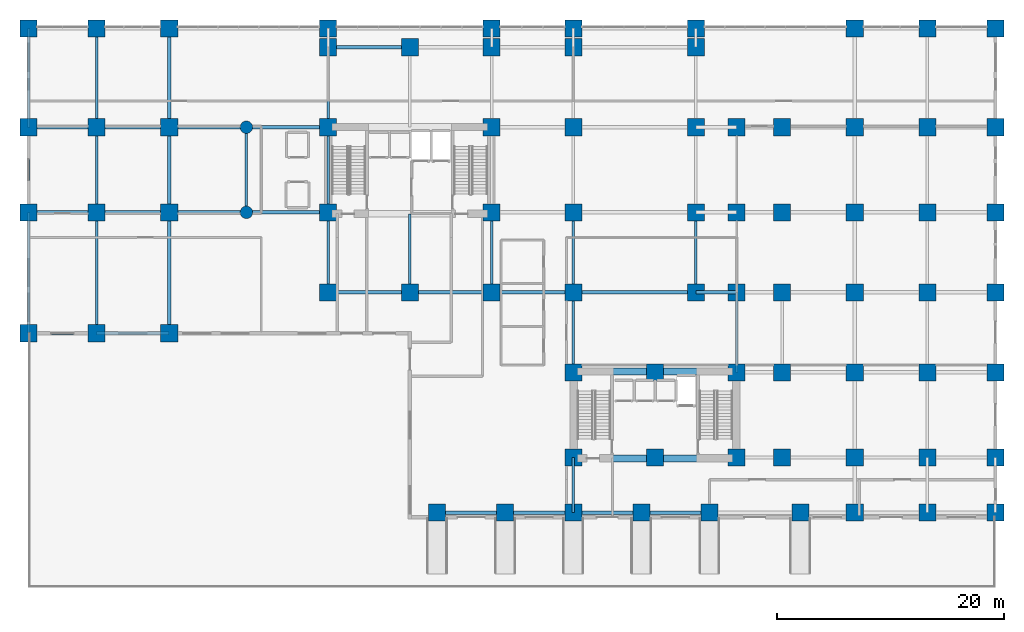
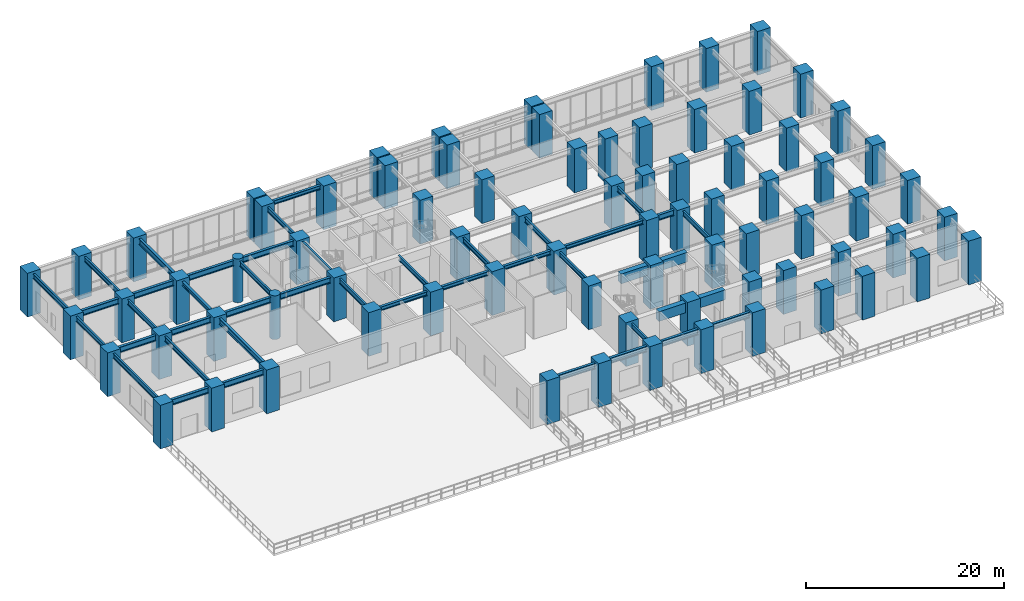
# One storey, part 1 of 22: 77 columns, 42 beams.
"""IFC4 building model written with IfcOpenShell, lengths in metres."""

from ifc_helpers import new_model, si_unit, direction, frame, origin, origin_2d, place, context, subcontext, project, spatial, rectangle, circle, i_section, extrude, source, transform, mapped, material, material_profile, profile_set, type_object, element, save


model = new_model("IFC4")

# Units and contexts
model_context = context("Model", 3, precision=1e-05, world=origin(), true_north=direction((0.0, 1.0)))
body_context = subcontext(model_context, "Body", "Model", "MODEL_VIEW")
ifc_project = project(units=[si_unit("LENGTHUNIT", "METRE"), si_unit("AREAUNIT", "SQUARE_METRE"), si_unit("VOLUMEUNIT", "CUBIC_METRE"), si_unit("PLANEANGLEUNIT", "RADIAN"), si_unit("MASSUNIT", "GRAM", prefix="KILO")], contexts=[model_context])

# Site, building, storey
site_placement = place(None, origin())
site = spatial("IfcSite", under=ifc_project, at=site_placement, CompositionType="ELEMENT")
building_placement = place(site_placement, origin())
building = spatial("IfcBuilding", under=site, at=building_placement, Name="Kaliganga Portal Commons", CompositionType="ELEMENT")
storey_placement = place(building_placement, origin())
storey = spatial("IfcBuildingStorey", under=building, at=storey_placement, Name="L00", CompositionType="ELEMENT", Elevation=0.0)

# Columns
ifc_material_1 = material(Name="Concrete C60/75", Category="concrete")
ifc_material_profile_1 = material_profile(ifc_material_1, circle(Radius=0.550048828125, at=origin_2d()), Name="RC COL D1100")
ifc_profile_set_1 = profile_set([ifc_material_profile_1], Name="Concrete C60/75")
column_type_1 = type_object("IfcColumnType", Name="COL-POD-CIRC", PredefinedType="COLUMN", material=ifc_profile_set_1)
shared_shape_1 = source(origin(), body_context, "Body", "SweptSolid", [
    extrude(circle(Radius=0.550048828125, at=origin_2d()), origin(), (0.0, 0.0, 1.0), 5.39990234375),
])
for number, where, z_axis, x_axis, name in (
    (1, (7.199951171875, 28.64990234375, 0.0), (0.0, 0.0, 1.0), (1.0, 0.0, 0.0), "Column MC-07 L00"),
    (2, (7.199951171875, 36.14990234375, 0.0), (0.0, 0.0, 1.0), (1.0, 0.0, 0.0), "Column MC-07 L00"),
):
    element("IfcColumn", number, at=place(storey_placement, frame(where, z_axis=z_axis, x_axis=x_axis)), inside=storey, type_object=column_type_1, Name=name, PredefinedType="COLUMN", context=body_context, shape_type="MappedRepresentation", body=[
        mapped(shared_shape_1, transform((0.0, 0.0, 0.0), x_axis=(1.0, 0.0, 0.0), y_axis=(0.0, 1.0, 0.0), z_axis=(0.0, 0.0, 1.0), scale=1.0)),
    ])
ifc_material_2 = material(Name="Concrete C70/85", Category="concrete")
ifc_material_profile_2 = material_profile(ifc_material_2, rectangle(XDim=1.5, YDim=1.5, at=origin_2d()), Name="RC 1500x1500")
ifc_profile_set_2 = profile_set([ifc_material_profile_2], Name="Concrete C70/85")
column_type_2 = type_object("IfcColumnType", Name="COL-MEGA-Z0", PredefinedType="COLUMN", material=ifc_profile_set_2)
shared_shape_2 = source(origin(), body_context, "Body", "SweptSolid", [
    extrude(rectangle(XDim=1.5, YDim=1.5, at=origin_2d()), origin(), (0.0, 0.0, 1.0), 5.39990234375),
])
for number, where, z_axis, x_axis, name in (
    (3, (14.39990234375, 21.60009765625, 0.0), (0.0, 0.0, 1.0), (1.0, 0.0, 0.0), "Column MC-01 L00"),
    (4, (14.39990234375, 28.64990234375, 0.0), (0.0, 0.0, 1.0), (1.0, 0.0, 0.0), "Column MC-01 L00"),
    (5, (14.39990234375, 36.14990234375, 0.0), (0.0, 0.0, 1.0), (1.0, 0.0, 0.0), "Column MC-01 L00"),
    (6, (14.39990234375, 43.199951171875, 0.0), (0.0, 0.0, 1.0), (1.0, 0.0, 0.0), "Column MC-01 L00"),
    (7, (21.60009765625, 21.60009765625, 0.0), (0.0, 0.0, 1.0), (1.0, 0.0, 0.0), "Column MC-01 L00"),
    (8, (21.60009765625, 43.199951171875, 0.0), (0.0, 0.0, 1.0), (1.0, 0.0, 0.0), "Column MC-01 L00"),
    (9, (28.800048828125, 21.60009765625, 0.0), (0.0, 0.0, 1.0), (1.0, 0.0, 0.0), "Column MC-01 L00"),
    (10, (28.800048828125, 28.64990234375, 0.0), (0.0, 0.0, 1.0), (1.0, 0.0, 0.0), "Column MC-01 L00"),
    (11, (28.800048828125, 36.14990234375, 0.0), (0.0, 0.0, 1.0), (1.0, 0.0, 0.0), "Column MC-01 L00"),
    (12, (28.800048828125, 43.199951171875, 0.0), (0.0, 0.0, 1.0), (1.0, 0.0, 0.0), "Column MC-01 L00"),
    (13, (36.0, 21.60009765625, 0.0), (0.0, 0.0, 1.0), (1.0, 0.0, 0.0), "Column MC-01 L00"),
    (14, (36.0, 43.199951171875, 0.0), (0.0, 0.0, 1.0), (1.0, 0.0, 0.0), "Column MC-01 L00"),
    (15, (36.0, 28.64990234375, 0.0), (0.0, 0.0, 1.0), (1.0, 0.0, 0.0), "Column MC-01 L00"),
    (16, (36.0, 36.14990234375, 0.0), (0.0, 0.0, 1.0), (1.0, 0.0, 0.0), "Column MC-01 L00"),
    (17, (46.800048828125, 21.60009765625, 0.0), (0.0, 0.0, 1.0), (1.0, 0.0, 0.0), "Column MC-01 L00"),
    (18, (46.800048828125, 28.64990234375, 0.0), (0.0, 0.0, 1.0), (1.0, 0.0, 0.0), "Column MC-01 L00"),
    (19, (46.800048828125, 36.14990234375, 0.0), (0.0, 0.0, 1.0), (1.0, 0.0, 0.0), "Column MC-01 L00"),
    (20, (46.800048828125, 43.199951171875, 0.0), (0.0, 0.0, 1.0), (1.0, 0.0, 0.0), "Column MC-01 L00"),
    (21, (36.0, 7.050048828125, 0.0), (0.0, 0.0, 1.0), (1.0, 0.0, 0.0), "Column MC-01 L00"),
    (22, (36.0, 14.550048828125, 0.0), (0.0, 0.0, 1.0), (1.0, 0.0, 0.0), "Column MC-01 L00"),
    (23, (43.199951171875, 7.050048828125, 0.0), (0.0, 0.0, 1.0), (1.0, 0.0, 0.0), "Column MC-01 L00"),
    (24, (43.199951171875, 14.550048828125, 0.0), (0.0, 0.0, 1.0), (1.0, 0.0, 0.0), "Column MC-01 L00"),
    (25, (50.39990234375, 7.050048828125, 0.0), (0.0, 0.0, 1.0), (1.0, 0.0, 0.0), "Column MC-01 L00"),
    (26, (50.39990234375, 14.550048828125, 0.0), (0.0, 0.0, 1.0), (1.0, 0.0, 0.0), "Column MC-01 L00"),
    (27, (50.39990234375, 21.60009765625, 0.0), (0.0, 0.0, 1.0), (1.0, 0.0, 0.0), "Column MC-01 L00"),
    (28, (50.39990234375, 28.64990234375, 0.0), (0.0, 0.0, 1.0), (1.0, 0.0, 0.0), "Column MC-01 L00"),
    (29, (50.39990234375, 36.14990234375, 0.0), (0.0, 0.0, 1.0), (1.0, 0.0, 0.0), "Column MC-01 L00"),
    (30, (54.39990234375, 7.050048828125, 0.0), (0.0, 0.0, 1.0), (1.0, 0.0, 0.0), "Column MC-01 L00"),
    (31, (54.39990234375, 14.550048828125, 0.0), (0.0, 0.0, 1.0), (1.0, 0.0, 0.0), "Column MC-01 L00"),
    (32, (54.39990234375, 21.60009765625, 0.0), (0.0, 0.0, 1.0), (1.0, 0.0, 0.0), "Column MC-01 L00"),
    (33, (54.39990234375, 28.64990234375, 0.0), (0.0, 0.0, 1.0), (1.0, 0.0, 0.0), "Column MC-01 L00"),
    (34, (54.39990234375, 36.14990234375, 0.0), (0.0, 0.0, 1.0), (1.0, 0.0, 0.0), "Column MC-01 L00"),
    (35, (0.39990234375, 18.0, 0.0), (0.0, 0.0, 1.0), (1.0, 0.0, 0.0), "Column MC-01 L00"),
    (36, (0.39990234375, 28.64990234375, 0.0), (0.0, 0.0, 1.0), (1.0, 0.0, 0.0), "Column MC-01 L00"),
    (37, (0.39990234375, 36.14990234375, 0.0), (0.0, 0.0, 1.0), (1.0, 0.0, 0.0), "Column MC-01 L00"),
    (38, (0.39990234375, 44.85009765625, 0.0), (0.0, 0.0, 1.0), (1.0, 0.0, 0.0), "Column MC-01 L00"),
    (39, (14.39990234375, 44.85009765625, 0.0), (0.0, 0.0, 1.0), (1.0, 0.0, 0.0), "Column MC-01 L00"),
    (40, (28.800048828125, 44.85009765625, 0.0), (0.0, 0.0, 1.0), (1.0, 0.0, 0.0), "Column MC-01 L00"),
    (41, (36.0, 44.85009765625, 0.0), (0.0, 0.0, 1.0), (1.0, 0.0, 0.0), "Column MC-01 L00"),
    (42, (46.800048828125, 44.85009765625, 0.0), (0.0, 0.0, 1.0), (1.0, 0.0, 0.0), "Column MC-01 L00"),
    (43, (60.800048828125, 44.85009765625, 0.0), (0.0, 0.0, 1.0), (1.0, 0.0, 0.0), "Column MC-01 L00"),
    (44, (60.800048828125, 36.14990234375, 0.0), (0.0, 0.0, 1.0), (1.0, 0.0, 0.0), "Column MC-01 L00"),
    (45, (60.800048828125, 28.64990234375, 0.0), (0.0, 0.0, 1.0), (1.0, 0.0, 0.0), "Column MC-01 L00"),
    (46, (60.800048828125, 21.60009765625, 0.0), (0.0, 0.0, 1.0), (1.0, 0.0, 0.0), "Column MC-01 L00"),
    (47, (60.800048828125, 14.550048828125, 0.0), (0.0, 0.0, 1.0), (1.0, 0.0, 0.0), "Column MC-01 L00"),
    (48, (60.800048828125, 7.050048828125, 0.0), (0.0, 0.0, 1.0), (1.0, 0.0, 0.0), "Column MC-01 L00"),
    (49, (60.800048828125, 2.199951171875, 0.0), (0.0, 0.0, 1.0), (1.0, 0.0, 0.0), "Column MC-01 L00"),
    (50, (56.0, 2.199951171875, 0.0), (0.0, 0.0, 1.0), (1.0, 0.0, 0.0), "Column MC-01 L00"),
    (51, (48.0, 2.199951171875, 0.0), (0.0, 0.0, 1.0), (1.0, 0.0, 0.0), "Column MC-01 L00"),
    (52, (42.0, 2.199951171875, 0.0), (0.0, 0.0, 1.0), (1.0, 0.0, 0.0), "Column MC-01 L00"),
    (53, (36.0, 2.199951171875, 0.0), (0.0, 0.0, 1.0), (1.0, 0.0, 0.0), "Column MC-01 L00"),
    (54, (30.0, 2.199951171875, 0.0), (0.0, 0.0, 1.0), (1.0, 0.0, 0.0), "Column MC-01 L00"),
    (55, (24.0, 2.199951171875, 0.0), (0.0, 0.0, 1.0), (1.0, 0.0, 0.0), "Column MC-01 L00"),
    (56, (-12.0, 18.0, 0.0), (0.0, 0.0, 1.0), (1.0, 0.0, 0.0), "Column MC-01 L00"),
    (57, (-12.0, 28.64990234375, 0.0), (0.0, 0.0, 1.0), (1.0, 0.0, 0.0), "Column MC-01 L00"),
    (58, (-12.0, 36.14990234375, 0.0), (0.0, 0.0, 1.0), (1.0, 0.0, 0.0), "Column MC-01 L00"),
    (59, (-12.0, 44.85009765625, 0.0), (0.0, 0.0, 1.0), (1.0, 0.0, 0.0), "Column MC-01 L00"),
    (60, (-6.0, 18.0, 0.0), (0.0, 0.0, 1.0), (1.0, 0.0, 0.0), "Column MC-01 L00"),
    (61, (-6.0, 28.64990234375, 0.0), (0.0, 0.0, 1.0), (1.0, 0.0, 0.0), "Column MC-01 L00"),
    (62, (-6.0, 36.14990234375, 0.0), (0.0, 0.0, 1.0), (1.0, 0.0, 0.0), "Column MC-01 L00"),
    (63, (-6.0, 44.85009765625, 0.0), (0.0, 0.0, 1.0), (1.0, 0.0, 0.0), "Column MC-01 L00"),
    (64, (67.199951171875, 2.199951171875, 0.0), (0.0, 0.0, 1.0), (1.0, 0.0, 0.0), "Column MC-01 L00"),
    (65, (67.199951171875, 7.050048828125, 0.0), (0.0, 0.0, 1.0), (1.0, 0.0, 0.0), "Column MC-01 L00"),
    (66, (67.199951171875, 14.550048828125, 0.0), (0.0, 0.0, 1.0), (1.0, 0.0, 0.0), "Column MC-01 L00"),
    (67, (67.199951171875, 21.60009765625, 0.0), (0.0, 0.0, 1.0), (1.0, 0.0, 0.0), "Column MC-01 L00"),
    (68, (67.199951171875, 28.64990234375, 0.0), (0.0, 0.0, 1.0), (1.0, 0.0, 0.0), "Column MC-01 L00"),
    (69, (67.199951171875, 36.14990234375, 0.0), (0.0, 0.0, 1.0), (1.0, 0.0, 0.0), "Column MC-01 L00"),
    (70, (67.199951171875, 44.85009765625, 0.0), (0.0, 0.0, 1.0), (1.0, 0.0, 0.0), "Column MC-01 L00"),
    (71, (73.199951171875, 2.199951171875, 0.0), (0.0, 0.0, 1.0), (1.0, 0.0, 0.0), "Column MC-01 L00"),
    (72, (73.199951171875, 7.050048828125, 0.0), (0.0, 0.0, 1.0), (1.0, 0.0, 0.0), "Column MC-01 L00"),
    (73, (73.199951171875, 14.550048828125, 0.0), (0.0, 0.0, 1.0), (1.0, 0.0, 0.0), "Column MC-01 L00"),
    (74, (73.199951171875, 21.60009765625, 0.0), (0.0, 0.0, 1.0), (1.0, 0.0, 0.0), "Column MC-01 L00"),
    (75, (73.199951171875, 28.64990234375, 0.0), (0.0, 0.0, 1.0), (1.0, 0.0, 0.0), "Column MC-01 L00"),
    (76, (73.199951171875, 36.14990234375, 0.0), (0.0, 0.0, 1.0), (1.0, 0.0, 0.0), "Column MC-01 L00"),
    (77, (73.199951171875, 44.85009765625, 0.0), (0.0, 0.0, 1.0), (1.0, 0.0, 0.0), "Column MC-01 L00"),
):
    element("IfcColumn", number, at=place(storey_placement, frame(where, z_axis=z_axis, x_axis=x_axis)), inside=storey, type_object=column_type_2, Name=name, PredefinedType="COLUMN", context=body_context, shape_type="MappedRepresentation", body=[
        mapped(shared_shape_2, transform((0.0, 0.0, 0.0), x_axis=(1.0, 0.0, 0.0), y_axis=(0.0, 1.0, 0.0), z_axis=(0.0, 0.0, 1.0), scale=1.0)),
    ])

# Beams
ifc_material_profile_3 = material_profile(ifc_material_1, rectangle(XDim=0.60009765625, YDim=1.199951171875, at=origin_2d()), Name="RC 600x1200")
ifc_profile_set_3 = profile_set([ifc_material_profile_3], Name="Concrete C60/75")
beam_type_1 = type_object("IfcBeamType", Name="BM-CPL-1200", PredefinedType="LINTEL", material=ifc_profile_set_3)
shared_shape_3 = source(origin(), body_context, "Body", "SweptSolid", [
    extrude(rectangle(XDim=0.60009765625, YDim=1.199951171875, at=origin_2d()), origin(), (0.0, 0.0, 1.0), 7.739990234375),
])
for number, where, z_axis, x_axis, name in (
    (78, (39.330078125, 6.97509765625, 4.52001953125), (1.0, 0.0, 0.0), (0.0, 1.0, 0.0), "BM CPL COREB L00 S"),
    (79, (39.330078125, 14.625, 4.52001953125), (1.0, 0.0, 0.0), (0.0, 1.0, 0.0), "BM CPL COREB L00 N"),
):
    element("IfcBeam", number, at=place(storey_placement, frame(where, z_axis=z_axis, x_axis=x_axis)), inside=storey, type_object=beam_type_1, Name=name, PredefinedType="LINTEL", context=body_context, shape_type="MappedRepresentation", body=[
        mapped(shared_shape_3, transform((0.0, 0.0, 0.0), x_axis=(1.0, 0.0, 0.0), y_axis=(0.0, 1.0, 0.0), z_axis=(0.0, 0.0, 1.0), scale=1.0)),
    ])
ifc_material_3 = material(Name="Structural steel S355J2", Category="steel")
ifc_material_profile_4 = material_profile(ifc_material_3, i_section(OverallWidth=0.300048828125, OverallDepth=0.699951171875, WebThickness=0.01708984375, FlangeThickness=0.031982421875, FilletRadius=0.027099609375, at=origin_2d()), Name="HE 700 B")
ifc_profile_set_4 = profile_set([ifc_material_profile_4], Name="Structural steel S355J2 wide-flange")
beam_type_2 = type_object("IfcBeamType", Name="BM-GIRD-700", PredefinedType="USERDEFINED", material=ifc_profile_set_4)
shared_shape_4 = source(origin(), body_context, "Body", "SweptSolid", [
    extrude(i_section(OverallWidth=0.300048828125, OverallDepth=0.699951171875, WebThickness=0.01708984375, FlangeThickness=0.031982421875, FilletRadius=0.027099609375, at=origin_2d()), origin(), (0.0, 0.0, 1.0), 7.199951171875),
])
for number, where, z_axis, x_axis, name in (
    (80, (7.199951171875, 28.64990234375, 4.77001953125), (1.0, 0.0, 0.0), (0.0, 1.0, 0.0), "BM G L00 WAH_S 2"),
    (81, (7.199951171875, 36.14990234375, 4.77001953125), (1.0, 0.0, 0.0), (0.0, 1.0, 0.0), "BM G L00 WAH_N 2"),
):
    element("IfcBeam", number, at=place(storey_placement, frame(where, z_axis=z_axis, x_axis=x_axis)), inside=storey, type_object=beam_type_2, Name=name, ObjectType="GIRDER", PredefinedType="USERDEFINED", context=body_context, shape_type="MappedRepresentation", body=[
        mapped(shared_shape_4, transform((0.0, 0.0, 0.0), x_axis=(1.0, 0.0, 0.0), y_axis=(0.0, 1.0, 0.0), z_axis=(0.0, 0.0, 1.0), scale=1.0)),
    ])
shared_shape_5 = source(origin(), body_context, "Body", "SweptSolid", [
    extrude(i_section(OverallWidth=0.300048828125, OverallDepth=0.699951171875, WebThickness=0.01708984375, FlangeThickness=0.031982421875, FilletRadius=0.027099609375, at=origin_2d()), origin(), (0.0, 0.0, 1.0), 6.800048828125),
])
for number, where, z_axis, x_axis, name in (
    (82, (0.39990234375, 28.64990234375, 4.77001953125), (1.0, 0.0, 0.0), (0.0, 1.0, 0.0), "BM G L00 WAH_S 1"),
    (83, (0.39990234375, 36.14990234375, 4.77001953125), (1.0, 0.0, 0.0), (0.0, 1.0, 0.0), "BM G L00 WAH_N 1"),
):
    element("IfcBeam", number, at=place(storey_placement, frame(where, z_axis=z_axis, x_axis=x_axis)), inside=storey, type_object=beam_type_2, Name=name, ObjectType="GIRDER", PredefinedType="USERDEFINED", context=body_context, shape_type="MappedRepresentation", body=[
        mapped(shared_shape_5, transform((0.0, 0.0, 0.0), x_axis=(1.0, 0.0, 0.0), y_axis=(0.0, 1.0, 0.0), z_axis=(0.0, 0.0, 1.0), scale=1.0)),
    ])
ifc_material_profile_5 = material_profile(ifc_material_3, i_section(OverallWidth=0.219970703125, OverallDepth=0.60009765625, WebThickness=0.011962890625, FlangeThickness=0.01904296875, FilletRadius=0.02392578125, at=origin_2d()), Name="IPE 600")
ifc_profile_set_5 = profile_set([ifc_material_profile_5], Name="Structural steel S355J2 wide-flange")
beam_type_3 = type_object("IfcBeamType", Name="BM-FLR-600", PredefinedType="BEAM", material=ifc_profile_set_5)
shared_shape_6 = source(origin(), body_context, "Body", "SweptSolid", [
    extrude(i_section(OverallWidth=0.219970703125, OverallDepth=0.60009765625, WebThickness=0.011962890625, FlangeThickness=0.01904296875, FilletRadius=0.02392578125, at=origin_2d()), origin(), (0.0, 0.0, 1.0), 7.5),
])
for number, where, z_axis, x_axis, name in (
    (84, (7.199951171875, 28.64990234375, 4.820068359375), (0.0, 1.0, 0.0), (-1.0, 0.0, 0.0), "BM G L00 AW72"),
    (85, (14.39990234375, 28.64990234375, 4.820068359375), (0.0, 1.0, 0.0), (-1.0, 0.0, 0.0), "BM G L00 AM144"),
    (86, (-12.0, 28.64990234375, 4.820068359375), (0.0, 1.0, 0.0), (-1.0, 0.0, 0.0), "BM PODW L00 X12 2"),
    (87, (-6.0, 28.64990234375, 4.820068359375), (0.0, 1.0, 0.0), (-1.0, 0.0, 0.0), "BM PODW L00 X6 2"),
):
    element("IfcBeam", number, at=place(storey_placement, frame(where, z_axis=z_axis, x_axis=x_axis)), inside=storey, type_object=beam_type_3, Name=name, PredefinedType="BEAM", context=body_context, shape_type="MappedRepresentation", body=[
        mapped(shared_shape_6, transform((0.0, 0.0, 0.0), x_axis=(1.0, 0.0, 0.0), y_axis=(0.0, 1.0, 0.0), z_axis=(0.0, 0.0, 1.0), scale=1.0)),
    ])
shared_shape_7 = source(origin(), body_context, "Body", "SweptSolid", [
    extrude(i_section(OverallWidth=0.219970703125, OverallDepth=0.60009765625, WebThickness=0.011962890625, FlangeThickness=0.01904296875, FilletRadius=0.02392578125, at=origin_2d()), origin(), (0.0, 0.0, 1.0), 7.050048828125),
])
for number, where, z_axis, x_axis, name in (
    (88, (14.39990234375, 36.14990234375, 4.820068359375), (0.0, 1.0, 0.0), (-1.0, 0.0, 0.0), "BM G L00 AN144"),
    (89, (36.0, 14.550048828125, 4.820068359375), (0.0, 1.0, 0.0), (-1.0, 0.0, 0.0), "BM G L00 BNK360"),
    (90, (50.39990234375, 14.550048828125, 4.820068359375), (0.0, 1.0, 0.0), (-1.0, 0.0, 0.0), "BM G L00 BNK504"),
):
    element("IfcBeam", number, at=place(storey_placement, frame(where, z_axis=z_axis, x_axis=x_axis)), inside=storey, type_object=beam_type_3, Name=name, PredefinedType="BEAM", context=body_context, shape_type="MappedRepresentation", body=[
        mapped(shared_shape_7, transform((0.0, 0.0, 0.0), x_axis=(1.0, 0.0, 0.0), y_axis=(0.0, 1.0, 0.0), z_axis=(0.0, 0.0, 1.0), scale=1.0)),
    ])
shared_shape_8 = source(origin(), body_context, "Body", "SweptSolid", [
    extrude(i_section(OverallWidth=0.219970703125, OverallDepth=0.60009765625, WebThickness=0.011962890625, FlangeThickness=0.01904296875, FilletRadius=0.02392578125, at=origin_2d()), origin(), (0.0, 0.0, 1.0), 7.0498046875),
])
for number, where, z_axis, x_axis, name in (
    (91, (14.39990234375, 21.60009765625, 4.820068359375), (0.0, 1.0, 0.0), (-1.0, 0.0, 0.0), "BM G L00 AS144"),
    (92, (28.800048828125, 21.60009765625, 4.820068359375), (0.0, 1.0, 0.0), (-1.0, 0.0, 0.0), "BM G L00 AS288"),
    (93, (36.0, 21.60009765625, 4.820068359375), (0.0, 1.0, 0.0), (-1.0, 0.0, 0.0), "BM G L00 AS360"),
    (94, (46.800048828125, 21.60009765625, 4.820068359375), (0.0, 1.0, 0.0), (-1.0, 0.0, 0.0), "BM G L00 AS468"),
):
    element("IfcBeam", number, at=place(storey_placement, frame(where, z_axis=z_axis, x_axis=x_axis)), inside=storey, type_object=beam_type_3, Name=name, PredefinedType="BEAM", context=body_context, shape_type="MappedRepresentation", body=[
        mapped(shared_shape_8, transform((0.0, 0.0, 0.0), x_axis=(1.0, 0.0, 0.0), y_axis=(0.0, 1.0, 0.0), z_axis=(0.0, 0.0, 1.0), scale=1.0)),
    ])
shared_shape_9 = source(origin(), body_context, "Body", "SweptSolid", [
    extrude(i_section(OverallWidth=0.219970703125, OverallDepth=0.60009765625, WebThickness=0.011962890625, FlangeThickness=0.01904296875, FilletRadius=0.02392578125, at=origin_2d()), origin(), (0.0, 0.0, 1.0), 6.9248046875),
])
beam_1_placement = place(storey_placement, frame((21.60009765625, 21.60009765625, 4.820068359375), z_axis=(0.0, 1.0, 0.0), x_axis=(-1.0, 0.0, 0.0)))
element("IfcBeam", 95, at=beam_1_placement, inside=storey, type_object=beam_type_3, Name="BM G L00 AS216", PredefinedType="BEAM", context=body_context, shape_type="MappedRepresentation", body=[
    mapped(shared_shape_9, transform((0.0, 0.0, 0.0), x_axis=(1.0, 0.0, 0.0), y_axis=(0.0, 1.0, 0.0), z_axis=(0.0, 0.0, 1.0), scale=1.0)),
])
shared_shape_10 = source(origin(), body_context, "Body", "SweptSolid", [
    extrude(i_section(OverallWidth=0.300048828125, OverallDepth=0.699951171875, WebThickness=0.01708984375, FlangeThickness=0.031982421875, FilletRadius=0.027099609375, at=origin_2d()), origin(), (0.0, 0.0, 1.0), 3.599853515625),
])
beam_2_placement = place(storey_placement, frame((46.800048828125, 21.60009765625, 4.77001953125), z_axis=(1.0, 0.0, 0.0), x_axis=(0.0, 1.0, 0.0)))
element("IfcBeam", 96, at=beam_2_placement, inside=storey, type_object=beam_type_2, Name="BM G L00 BKE216 1", ObjectType="GIRDER", PredefinedType="USERDEFINED", context=body_context, shape_type="MappedRepresentation", body=[
    mapped(shared_shape_10, transform((0.0, 0.0, 0.0), x_axis=(1.0, 0.0, 0.0), y_axis=(0.0, 1.0, 0.0), z_axis=(0.0, 0.0, 1.0), scale=1.0)),
])
shared_shape_11 = source(origin(), body_context, "Body", "SweptSolid", [
    extrude(i_section(OverallWidth=0.300048828125, OverallDepth=0.699951171875, WebThickness=0.01708984375, FlangeThickness=0.031982421875, FilletRadius=0.027099609375, at=origin_2d()), origin(), (0.0, 0.0, 1.0), 10.64990234375),
])
beam_3_placement = place(storey_placement, frame((0.39990234375, 18.0, 4.77001953125), z_axis=(0.0, 1.0, 0.0), x_axis=(-1.0, 0.0, 0.0)))
element("IfcBeam", 97, at=beam_3_placement, inside=storey, type_object=beam_type_2, Name="BM PODP L00 W04 1", ObjectType="GIRDER", PredefinedType="USERDEFINED", context=body_context, shape_type="MappedRepresentation", body=[
    mapped(shared_shape_11, transform((0.0, 0.0, 0.0), x_axis=(1.0, 0.0, 0.0), y_axis=(0.0, 1.0, 0.0), z_axis=(0.0, 0.0, 1.0), scale=1.0)),
])
shared_shape_12 = source(origin(), body_context, "Body", "SweptSolid", [
    extrude(i_section(OverallWidth=0.300048828125, OverallDepth=0.699951171875, WebThickness=0.01708984375, FlangeThickness=0.031982421875, FilletRadius=0.027099609375, at=origin_2d()), origin(), (0.0, 0.0, 1.0), 8.7001953125),
])
beam_4_placement = place(storey_placement, frame((0.39990234375, 36.14990234375, 4.77001953125), z_axis=(0.0, 1.0, 0.0), x_axis=(-1.0, 0.0, 0.0)))
element("IfcBeam", 98, at=beam_4_placement, inside=storey, type_object=beam_type_2, Name="BM PODP L00 W04 3", ObjectType="GIRDER", PredefinedType="USERDEFINED", context=body_context, shape_type="MappedRepresentation", body=[
    mapped(shared_shape_12, transform((0.0, 0.0, 0.0), x_axis=(1.0, 0.0, 0.0), y_axis=(0.0, 1.0, 0.0), z_axis=(0.0, 0.0, 1.0), scale=1.0)),
])
shared_shape_13 = source(origin(), body_context, "Body", "SweptSolid", [
    extrude(i_section(OverallWidth=0.300048828125, OverallDepth=0.699951171875, WebThickness=0.01708984375, FlangeThickness=0.031982421875, FilletRadius=0.027099609375, at=origin_2d()), origin(), (0.0, 0.0, 1.0), 6.0),
])
for number, where, z_axis, x_axis, name in (
    (99, (24.0, 2.199951171875, 4.77001953125), (1.0, 0.0, 0.0), (0.0, 1.0, 0.0), "BM PODP L00 S02 1"),
    (100, (30.0, 2.199951171875, 4.77001953125), (1.0, 0.0, 0.0), (0.0, 1.0, 0.0), "BM PODP L00 S02 2"),
    (101, (36.0, 2.199951171875, 4.77001953125), (1.0, 0.0, 0.0), (0.0, 1.0, 0.0), "BM PODP L00 S02 3"),
    (102, (42.0, 2.199951171875, 4.77001953125), (1.0, 0.0, 0.0), (0.0, 1.0, 0.0), "BM PODP L00 S02 4"),
    (103, (-12.0, 18.0, 4.77001953125), (1.0, 0.0, 0.0), (0.0, 1.0, 0.0), "BM PODW L00 Y18 1"),
    (104, (-12.0, 28.64990234375, 4.77001953125), (1.0, 0.0, 0.0), (0.0, 1.0, 0.0), "BM PODW L00 Y28 1"),
    (105, (-12.0, 36.14990234375, 4.77001953125), (1.0, 0.0, 0.0), (0.0, 1.0, 0.0), "BM PODW L00 Y36 1"),
):
    element("IfcBeam", number, at=place(storey_placement, frame(where, z_axis=z_axis, x_axis=x_axis)), inside=storey, type_object=beam_type_2, Name=name, ObjectType="GIRDER", PredefinedType="USERDEFINED", context=body_context, shape_type="MappedRepresentation", body=[
        mapped(shared_shape_13, transform((0.0, 0.0, 0.0), x_axis=(1.0, 0.0, 0.0), y_axis=(0.0, 1.0, 0.0), z_axis=(0.0, 0.0, 1.0), scale=1.0)),
    ])
shared_shape_14 = source(origin(), body_context, "Body", "SweptSolid", [
    extrude(i_section(OverallWidth=0.219970703125, OverallDepth=0.60009765625, WebThickness=0.011962890625, FlangeThickness=0.01904296875, FilletRadius=0.02392578125, at=origin_2d()), origin(), (0.0, 0.0, 1.0), 4.85009765625),
])
beam_5_placement = place(storey_placement, frame((36.0, 2.199951171875, 4.820068359375), z_axis=(0.0, 1.0, 0.0), x_axis=(-1.0, 0.0, 0.0)))
element("IfcBeam", 106, at=beam_5_placement, inside=storey, type_object=beam_type_3, Name="BM PODP L00 ST36", PredefinedType="BEAM", context=body_context, shape_type="MappedRepresentation", body=[
    mapped(shared_shape_14, transform((0.0, 0.0, 0.0), x_axis=(1.0, 0.0, 0.0), y_axis=(0.0, 1.0, 0.0), z_axis=(0.0, 0.0, 1.0), scale=1.0)),
])
shared_shape_15 = source(origin(), body_context, "Body", "SweptSolid", [
    extrude(i_section(OverallWidth=0.300048828125, OverallDepth=0.699951171875, WebThickness=0.01708984375, FlangeThickness=0.031982421875, FilletRadius=0.027099609375, at=origin_2d()), origin(), (0.0, 0.0, 1.0), 6.39990234375),
])
for number, where, z_axis, x_axis, name in (
    (107, (-6.0, 18.0, 4.77001953125), (1.0, 0.0, 0.0), (0.0, 1.0, 0.0), "BM PODW L00 Y18 2"),
    (108, (-6.0, 28.64990234375, 4.77001953125), (1.0, 0.0, 0.0), (0.0, 1.0, 0.0), "BM PODW L00 Y28 2"),
    (109, (-6.0, 36.14990234375, 4.77001953125), (1.0, 0.0, 0.0), (0.0, 1.0, 0.0), "BM PODW L00 Y36 2"),
):
    element("IfcBeam", number, at=place(storey_placement, frame(where, z_axis=z_axis, x_axis=x_axis)), inside=storey, type_object=beam_type_2, Name=name, ObjectType="GIRDER", PredefinedType="USERDEFINED", context=body_context, shape_type="MappedRepresentation", body=[
        mapped(shared_shape_15, transform((0.0, 0.0, 0.0), x_axis=(1.0, 0.0, 0.0), y_axis=(0.0, 1.0, 0.0), z_axis=(0.0, 0.0, 1.0), scale=1.0)),
    ])
shared_shape_16 = source(origin(), body_context, "Body", "SweptSolid", [
    extrude(i_section(OverallWidth=0.219970703125, OverallDepth=0.60009765625, WebThickness=0.011962890625, FlangeThickness=0.01904296875, FilletRadius=0.02392578125, at=origin_2d()), origin(), (0.0, 0.0, 1.0), 10.64990234375),
])
for number, where, z_axis, x_axis, name in (
    (110, (-12.0, 18.0, 4.820068359375), (0.0, 1.0, 0.0), (-1.0, 0.0, 0.0), "BM PODW L00 X12 1"),
    (111, (-6.0, 18.0, 4.820068359375), (0.0, 1.0, 0.0), (-1.0, 0.0, 0.0), "BM PODW L00 X6 1"),
):
    element("IfcBeam", number, at=place(storey_placement, frame(where, z_axis=z_axis, x_axis=x_axis)), inside=storey, type_object=beam_type_3, Name=name, PredefinedType="BEAM", context=body_context, shape_type="MappedRepresentation", body=[
        mapped(shared_shape_16, transform((0.0, 0.0, 0.0), x_axis=(1.0, 0.0, 0.0), y_axis=(0.0, 1.0, 0.0), z_axis=(0.0, 0.0, 1.0), scale=1.0)),
    ])
shared_shape_17 = source(origin(), body_context, "Body", "SweptSolid", [
    extrude(i_section(OverallWidth=0.219970703125, OverallDepth=0.60009765625, WebThickness=0.011962890625, FlangeThickness=0.01904296875, FilletRadius=0.02392578125, at=origin_2d()), origin(), (0.0, 0.0, 1.0), 8.7001953125),
])
for number, where, z_axis, x_axis, name in (
    (112, (-12.0, 36.14990234375, 4.820068359375), (0.0, 1.0, 0.0), (-1.0, 0.0, 0.0), "BM PODW L00 X12 3"),
    (113, (-6.0, 36.14990234375, 4.820068359375), (0.0, 1.0, 0.0), (-1.0, 0.0, 0.0), "BM PODW L00 X6 3"),
):
    element("IfcBeam", number, at=place(storey_placement, frame(where, z_axis=z_axis, x_axis=x_axis)), inside=storey, type_object=beam_type_3, Name=name, PredefinedType="BEAM", context=body_context, shape_type="MappedRepresentation", body=[
        mapped(shared_shape_17, transform((0.0, 0.0, 0.0), x_axis=(1.0, 0.0, 0.0), y_axis=(0.0, 1.0, 0.0), z_axis=(0.0, 0.0, 1.0), scale=1.0)),
    ])
ifc_material_profile_6 = material_profile(ifc_material_3, i_section(OverallWidth=0.300048828125, OverallDepth=0.5, WebThickness=0.014404296875, FlangeThickness=0.028076171875, FilletRadius=0.027099609375, at=origin_2d()), Name="HE 500 B")
ifc_profile_set_6 = profile_set([ifc_material_profile_6], Name="Structural steel S355J2 wide-flange")
beam_type_4 = type_object("IfcBeamType", Name="BM-SPAND-500", PredefinedType="SPANDREL", material=ifc_profile_set_6)
shared_shape_18 = source(origin(), body_context, "Body", "SweptSolid", [
    extrude(i_section(OverallWidth=0.300048828125, OverallDepth=0.5, WebThickness=0.014404296875, FlangeThickness=0.028076171875, FilletRadius=0.027099609375, at=origin_2d()), origin(), (0.0, 0.0, 1.0), 7.2001953125),
])
for number, where, z_axis, x_axis, name in (
    (114, (14.39990234375, 43.199951171875, 4.8701171875), (1.0, 0.0, 0.0), (0.0, 1.0, 0.0), "BM SP L00 AN 1"),
    (115, (14.39990234375, 21.60009765625, 4.8701171875), (1.0, 0.0, 0.0), (0.0, 1.0, 0.0), "BM SP L00 AS 1"),
):
    element("IfcBeam", number, at=place(storey_placement, frame(where, z_axis=z_axis, x_axis=x_axis)), inside=storey, type_object=beam_type_4, Name=name, PredefinedType="SPANDREL", context=body_context, shape_type="MappedRepresentation", body=[
        mapped(shared_shape_18, transform((0.0, 0.0, 0.0), x_axis=(1.0, 0.0, 0.0), y_axis=(0.0, 1.0, 0.0), z_axis=(0.0, 0.0, 1.0), scale=1.0)),
    ])
shared_shape_19 = source(origin(), body_context, "Body", "SweptSolid", [
    extrude(i_section(OverallWidth=0.300048828125, OverallDepth=0.5, WebThickness=0.014404296875, FlangeThickness=0.028076171875, FilletRadius=0.027099609375, at=origin_2d()), origin(), (0.0, 0.0, 1.0), 7.199951171875),
])
for number, where, z_axis, x_axis, name in (
    (116, (21.60009765625, 21.60009765625, 4.8701171875), (1.0, 0.0, 0.0), (0.0, 1.0, 0.0), "BM SP L00 AS 2"),
    (117, (28.800048828125, 21.60009765625, 4.8701171875), (1.0, 0.0, 0.0), (0.0, 1.0, 0.0), "BM SP L00 AS 3"),
):
    element("IfcBeam", number, at=place(storey_placement, frame(where, z_axis=z_axis, x_axis=x_axis)), inside=storey, type_object=beam_type_4, Name=name, PredefinedType="SPANDREL", context=body_context, shape_type="MappedRepresentation", body=[
        mapped(shared_shape_19, transform((0.0, 0.0, 0.0), x_axis=(1.0, 0.0, 0.0), y_axis=(0.0, 1.0, 0.0), z_axis=(0.0, 0.0, 1.0), scale=1.0)),
    ])
shared_shape_20 = source(origin(), body_context, "Body", "SweptSolid", [
    extrude(i_section(OverallWidth=0.300048828125, OverallDepth=0.5, WebThickness=0.014404296875, FlangeThickness=0.028076171875, FilletRadius=0.027099609375, at=origin_2d()), origin(), (0.0, 0.0, 1.0), 10.800048828125),
])
beam_6_placement = place(storey_placement, frame((36.0, 21.60009765625, 4.8701171875), z_axis=(1.0, 0.0, 0.0), x_axis=(0.0, 1.0, 0.0)))
element("IfcBeam", 118, at=beam_6_placement, inside=storey, type_object=beam_type_4, Name="BM SP L00 AS 4", PredefinedType="SPANDREL", context=body_context, shape_type="MappedRepresentation", body=[
    mapped(shared_shape_20, transform((0.0, 0.0, 0.0), x_axis=(1.0, 0.0, 0.0), y_axis=(0.0, 1.0, 0.0), z_axis=(0.0, 0.0, 1.0), scale=1.0)),
])
shared_shape_21 = source(origin(), body_context, "Body", "SweptSolid", [
    extrude(i_section(OverallWidth=0.300048828125, OverallDepth=0.5, WebThickness=0.014404296875, FlangeThickness=0.028076171875, FilletRadius=0.027099609375, at=origin_2d()), origin(), (0.0, 0.0, 1.0), 7.5),
])
beam_7_placement = place(storey_placement, frame((0.39990234375, 28.64990234375, 4.8701171875), z_axis=(0.0, 1.0, 0.0), x_axis=(-1.0, 0.0, 0.0)))
element("IfcBeam", 119, at=beam_7_placement, inside=storey, type_object=beam_type_4, Name="BM SP L00 AW", PredefinedType="SPANDREL", context=body_context, shape_type="MappedRepresentation", body=[
    mapped(shared_shape_21, transform((0.0, 0.0, 0.0), x_axis=(1.0, 0.0, 0.0), y_axis=(0.0, 1.0, 0.0), z_axis=(0.0, 0.0, 1.0), scale=1.0)),
])

save(model, "model.ifc")
